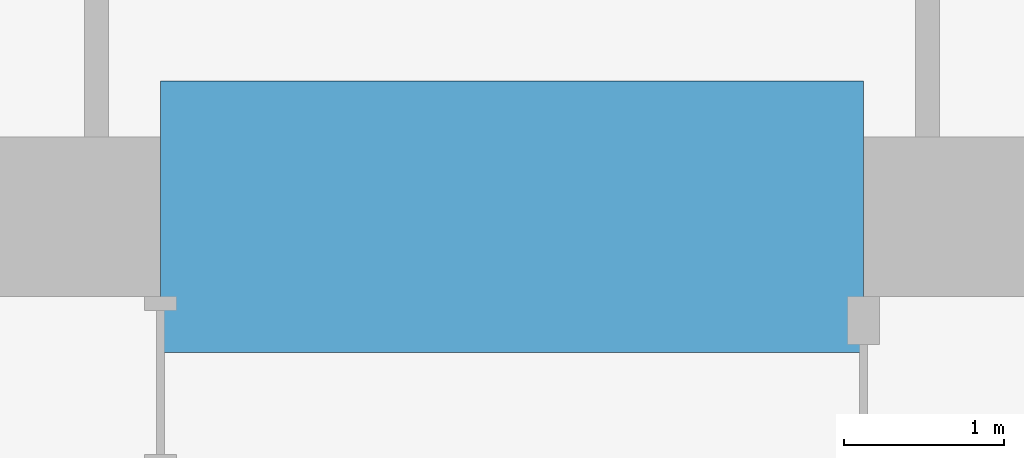
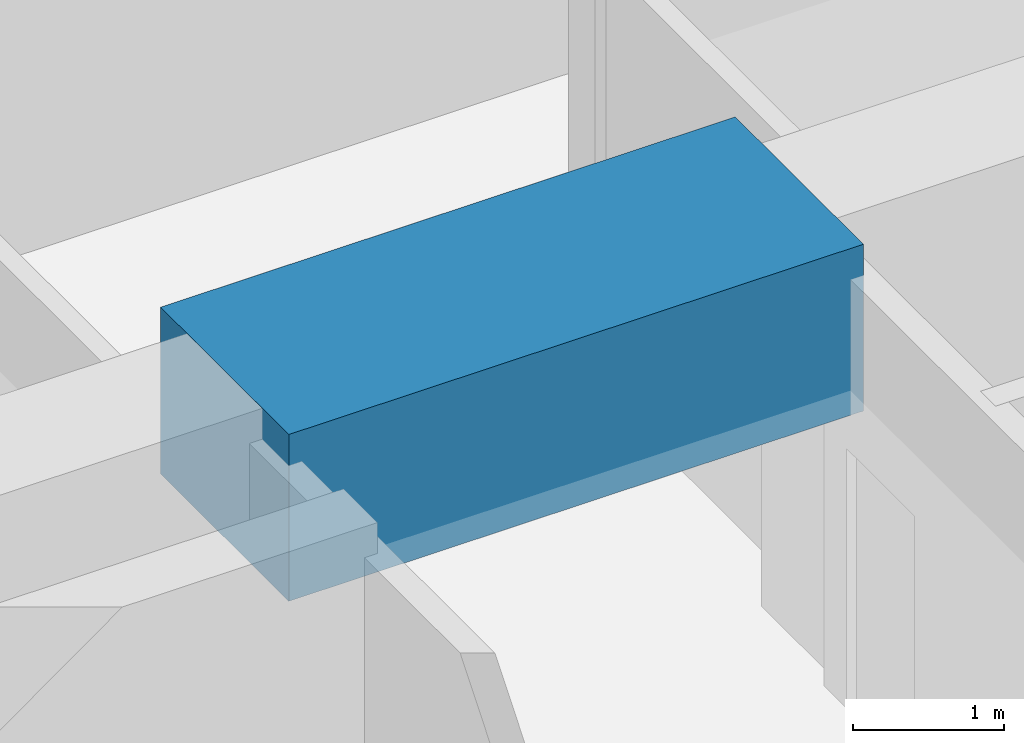
# One storey, part 18 of 40: 1 beam.
"""IFC4 building model written with IfcOpenShell, lengths in metres."""

from ifc_helpers import new_model, si_unit, direction, frame, origin, origin_2d, place, context, subcontext, project, spatial, rectangle, extrude, material, material_profile, profile_set, type_object, element, save


model = new_model("IFC4")

# Units and contexts
model_context = context("Model", 3, precision=1e-05, world=origin(), true_north=direction((0.0, 1.0)))
body_context = subcontext(model_context, "Body", "Model", "MODEL_VIEW")
ifc_project = project(units=[si_unit("LENGTHUNIT", "METRE"), si_unit("AREAUNIT", "SQUARE_METRE"), si_unit("VOLUMEUNIT", "CUBIC_METRE"), si_unit("PLANEANGLEUNIT", "RADIAN"), si_unit("MASSUNIT", "GRAM", prefix="KILO")], contexts=[model_context])

# Site, building, storey
site_placement = place(None, origin())
site = spatial("IfcSite", under=ifc_project, at=site_placement, CompositionType="ELEMENT")
building_placement = place(site_placement, origin())
building = spatial("IfcBuilding", under=site, at=building_placement, Name="Rekha Terrace Tower", CompositionType="ELEMENT")
storey_placement = place(building_placement, frame((0.0, 0.0, 99.050048828125)))
storey = spatial("IfcBuildingStorey", under=building, at=storey_placement, Name="L24", CompositionType="ELEMENT", Elevation=99.050048828125)

# Beam
ifc_material = material(Name="Concrete M70", Category="concrete")
ifc_material_profile = material_profile(ifc_material, rectangle(XDim=1.699951171875, YDim=1.35009765625, at=origin_2d()), Name="RC 1700x1350")
ifc_profile_set = profile_set([ifc_material_profile], Name="Concrete M70")
beam_type = type_object("IfcBeamType", Name="LB2A 1700x1350 diagonally reinforced coupling beam", PredefinedType="LINTEL", material=ifc_profile_set)
beam_placement = place(storey_placement, frame((35.60009765625, 46.199951171875, 3.074951171875), z_axis=(1.0, 0.0, 0.0), x_axis=(0.0, 1.0, 0.0)))
element("IfcBeam", 1, at=beam_placement, inside=storey, type_object=beam_type, Name="Coupling beam LB2A N L24", PredefinedType="LINTEL", context=body_context, shape_type="SweptSolid", body=[
    extrude(rectangle(XDim=1.699951171875, YDim=1.35009765625, at=origin_2d()), origin(), (0.0, 0.0, 1.0), 4.39990234375),
])

save(model, "model.ifc")
